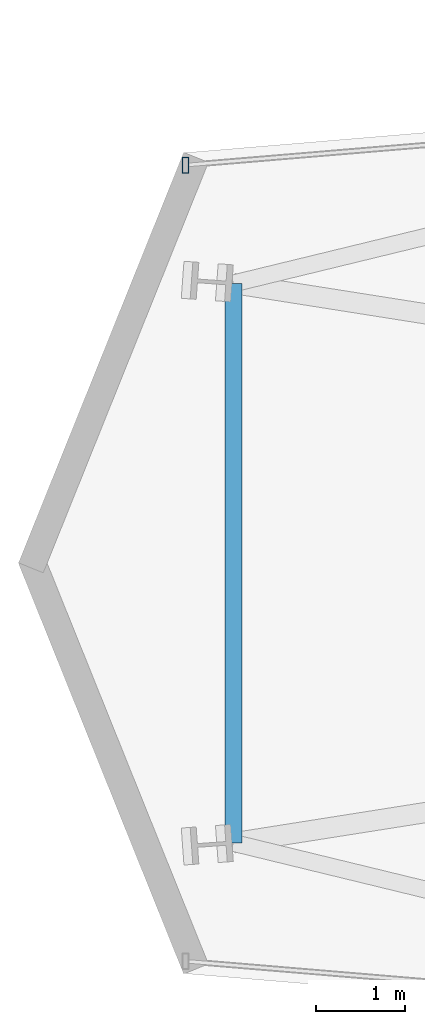
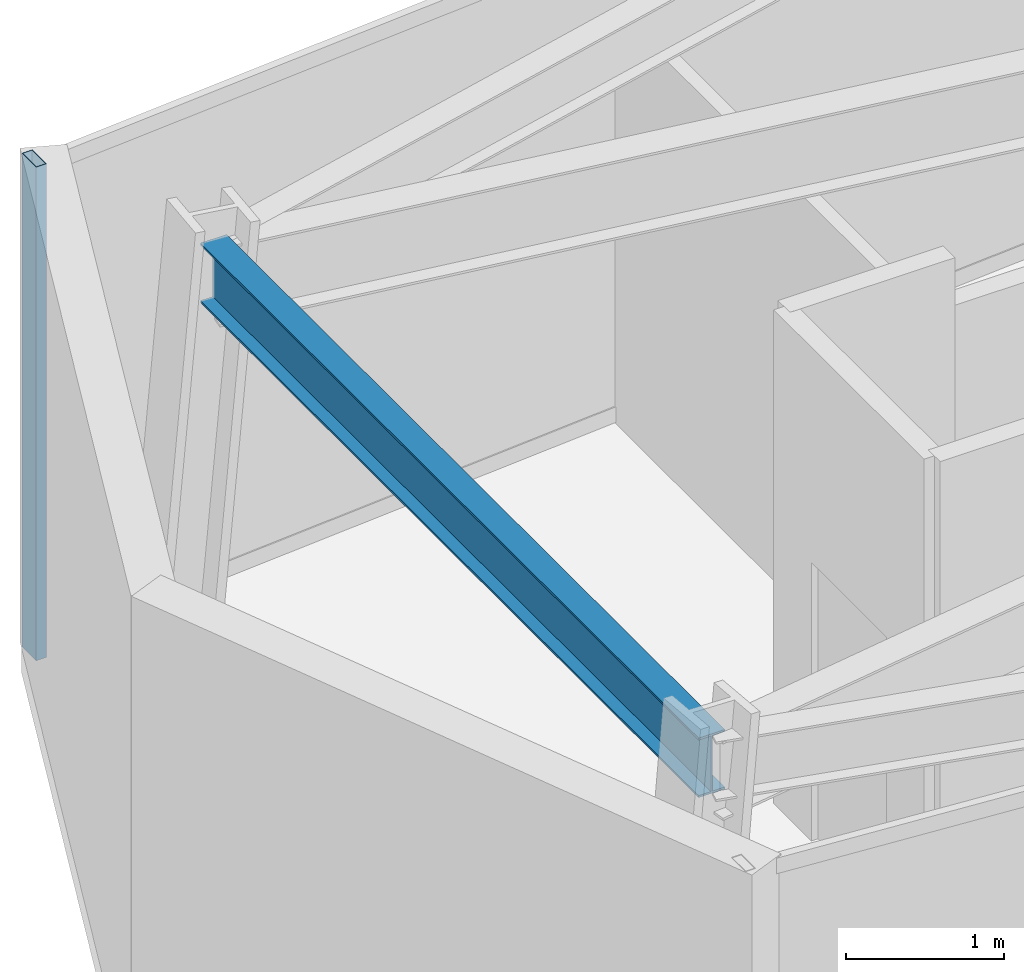
# One storey, part 6 of 25: 1 beam, 1 member, 1 element without a shape of its own.
"""IFC4 building model written with IfcOpenShell, lengths in metres."""

from ifc_helpers import new_model, si_unit, direction, frame, origin, origin_2d, place, context, subcontext, project, spatial, hollow_rectangle, i_section, extrude, material, layer, layer_set, material_profile, profile_set, type_object, element, aggregate, save


model = new_model("IFC4")

# Units and contexts
model_context = context("Model", 3, precision=1e-05, world=origin(), true_north=direction((0.0, 1.0)))
body_context = subcontext(model_context, "Body", "Model", "MODEL_VIEW")
ifc_project = project(units=[si_unit("LENGTHUNIT", "METRE"), si_unit("AREAUNIT", "SQUARE_METRE"), si_unit("VOLUMEUNIT", "CUBIC_METRE"), si_unit("PLANEANGLEUNIT", "RADIAN"), si_unit("MASSUNIT", "GRAM", prefix="KILO")], contexts=[model_context])

# Site, building, storey
site_placement = place(None, origin())
site = spatial("IfcSite", under=ifc_project, at=site_placement, CompositionType="ELEMENT")
building_placement = place(site_placement, origin())
building = spatial("IfcBuilding", under=site, at=building_placement, Name="Veymaron Broadcast Tower", CompositionType="ELEMENT")
storey_placement = place(building_placement, frame((0.0, 0.0, 137.10009765625)))
storey = spatial("IfcBuildingStorey", under=building, at=storey_placement, Name="L31", CompositionType="ELEMENT", Elevation=137.10009765625)

# Beam
ifc_material_1 = material(Name="Structural steel ASTM A992 Gr 50", Category="steel")
ifc_material_profile_1 = material_profile(ifc_material_1, i_section(OverallWidth=0.19091796875, OverallDepth=0.4599609375, WebThickness=0.010009765625, FlangeThickness=0.01611328125, at=origin_2d()), Name="W460X82")
ifc_profile_set_1 = profile_set([ifc_material_profile_1], Name="Structural steel ASTM A992 Gr 50")
beam_type = type_object("IfcBeamType", Name="BM-SP1", PredefinedType="SPANDREL", material=ifc_profile_set_1)
beam_placement = place(storey_placement, frame((11.25, 20.85009765625, 3.579833984375), z_axis=(0.0, 1.0, 0.0), x_axis=(-1.0, 0.0, 0.0)))
element("IfcBeam", 1, at=beam_placement, inside=storey, type_object=beam_type, Name="L31 primary structural floor girder", PredefinedType="SPANDREL", context=body_context, shape_type="SweptSolid", body=[
    extrude(i_section(OverallWidth=0.19091796875, OverallDepth=0.4599609375, WebThickness=0.010009765625, FlangeThickness=0.01611328125, at=origin_2d()), origin(), (0.0, 0.0, 1.0), 6.2998046875),
])

# Curtain wall, member
ifc_material_2 = material(Name="Anodised aluminium AA 6063-T6 and laminated low-E dark glass", Category="aluminium")
ifc_layer = layer(ifc_material_2, 0.179931640625)
ifc_layer_set = layer_set([ifc_layer], Name="Anodised aluminium AA 6063-T6 and laminated low-E dark glass")
curtain_wall_type = type_object("IfcCurtainWallType", Name="CW-SYS-03", PredefinedType="NOTDEFINED", material=ifc_layer_set)
curtain_wall_placement = place(storey_placement, origin())
curtain_wall = element("IfcCurtainWall", 2, at=curtain_wall_placement, inside=storey, type_object=curtain_wall_type, Name="L31 dark-glass curtain wall CW-L31-E11-1", PredefinedType="NOTDEFINED")
ifc_material_3 = material(Name="Anodised aluminium AA 6063-T6", Category="aluminium")
ifc_material_profile_2 = material_profile(ifc_material_3, hollow_rectangle(XDim=0.074951171875, YDim=0.179931640625, WallThickness=0.0048828125, at=origin_2d()), Name="AL180X75X5")
ifc_profile_set_2 = profile_set([ifc_material_profile_2], Name="Anodised aluminium AA 6063-T6")
member_type = type_object("IfcMemberType", Name="CW-MUL-02", PredefinedType="MULLION", material=ifc_profile_set_2)
member_placement = place(storey_placement, frame((10.711669921875, 28.482666015625, 0.0), z_axis=(0.0, 0.0, 1.0), x_axis=(1.0, 0.0, 0.0)))
member = element("IfcMember", 3, at=member_placement, type_object=member_type, Name="CW-L31-E11-1 mullion 2", PredefinedType="MULLION", context=body_context, shape_type="SweptSolid", body=[
    extrude(hollow_rectangle(XDim=0.074951171875, YDim=0.179931640625, WallThickness=0.0048828125, at=origin_2d()), origin(), (0.0, 0.0, 1.0), 3.809814453125),
])
aggregate(curtain_wall, [member])

save(model, "model.ifc")
